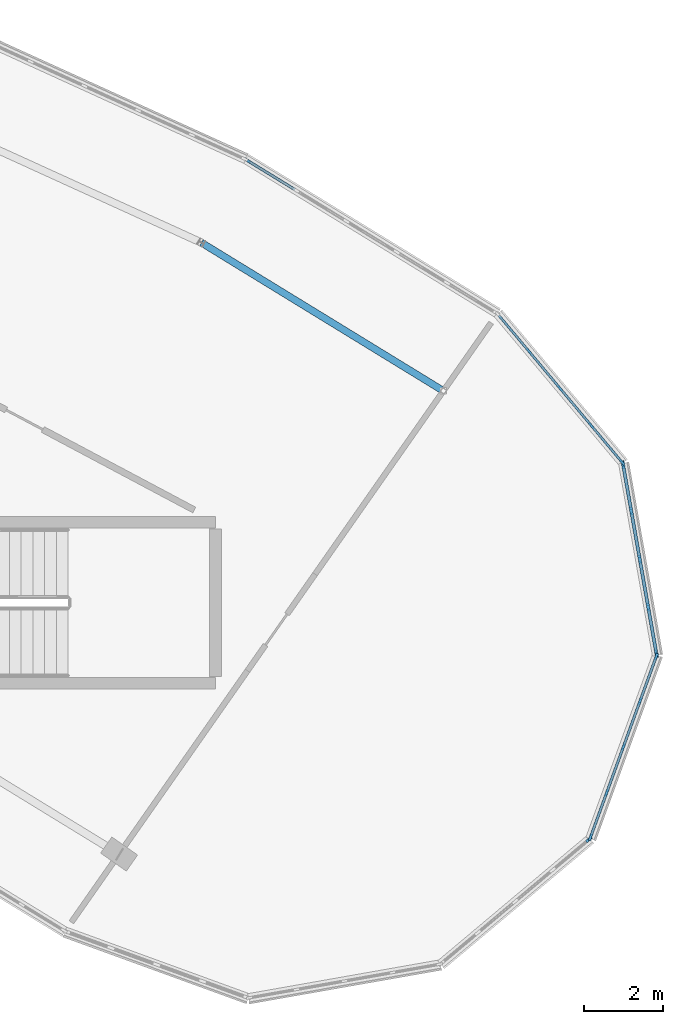
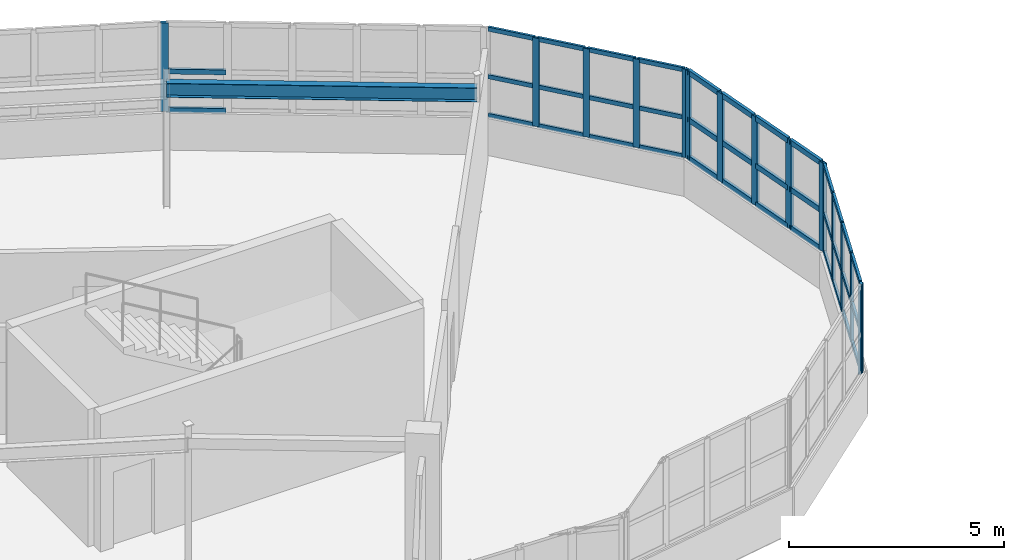
# One storey, part 34 of 65: 54 members, 1 beam, 5 elements without a shape of their own.
"""IFC4 building model written with IfcOpenShell, lengths in metres."""

from ifc_helpers import new_model, si_unit, direction, frame, origin, origin_2d, place, context, subcontext, project, spatial, rectangle, i_section, extrude, material, layer, layer_set, material_profile, profile_set, type_object, element, aggregate, save


model = new_model("IFC4")

# Units and contexts
model_context = context("Model", 3, precision=1e-05, world=origin(), true_north=direction((0.0, 1.0)))
body_context = subcontext(model_context, "Body", "Model", "MODEL_VIEW")
ifc_project = project(units=[si_unit("LENGTHUNIT", "METRE"), si_unit("AREAUNIT", "SQUARE_METRE"), si_unit("VOLUMEUNIT", "CUBIC_METRE"), si_unit("PLANEANGLEUNIT", "RADIAN"), si_unit("MASSUNIT", "GRAM", prefix="KILO")], contexts=[model_context])

# Site, building, storey
site_placement = place(None, origin())
site = spatial("IfcSite", under=ifc_project, at=site_placement, CompositionType="ELEMENT")
building_placement = place(site_placement, origin())
building = spatial("IfcBuilding", under=site, at=building_placement, Name="Tarnwether General Hospital", CompositionType="ELEMENT")
storey_placement = place(building_placement, frame((0.0, 0.0, 22.199951171875)))
storey = spatial("IfcBuildingStorey", under=building, at=storey_placement, Name="L05", CompositionType="ELEMENT", Elevation=22.199951171875)

# Beam
ifc_material_1 = material(Name="Steel Grade 350 (350 MPa)", Category="steel")
ifc_material_profile_1 = material_profile(ifc_material_1, i_section(OverallWidth=0.177978515625, OverallDepth=0.403076171875, WebThickness=0.007568359375, FlangeThickness=0.010986328125, at=origin_2d()), Name="410UB53.7")
ifc_profile_set_1 = profile_set([ifc_material_profile_1], Name="Steel Grade 350 (350 MPa)")
beam_type = type_object("IfcBeamType", Name="BM-SP2", PredefinedType="SPANDREL", material=ifc_profile_set_1)
beam_placement = place(storey_placement, frame((119.79296875, 115.27001953125, 3.358642578125), z_axis=(0.852678430503, -0.522436114902, 0.0), x_axis=(0.522436114902, 0.852678430503, 0.0)))
element("IfcBeam", 1, at=beam_placement, inside=storey, type_object=beam_type, Name="Curved Ward NW Outer Spandrel BMG-L05-11979_11527-12596_11149-2011", PredefinedType="SPANDREL", context=body_context, shape_type="SweptSolid", body=[
    extrude(i_section(OverallWidth=0.177978515625, OverallDepth=0.403076171875, WebThickness=0.007568359375, FlangeThickness=0.010986328125, at=origin_2d()), origin(), (0.0, 0.0, 1.0), 7.22802734375),
])

# Curtain wall, members
ifc_material_2 = material(Name="Anodised aluminium", Category="aluminium")
ifc_layer_1 = layer(ifc_material_2, 0.159912109375)
ifc_layer_set_1 = layer_set([ifc_layer_1], Name="Anodised aluminium")
curtain_wall_type_1 = type_object("IfcCurtainWallType", Name="CW-03", PredefinedType="NOTDEFINED", material=ifc_layer_set_1)
curtain_wall_1_placement = place(storey_placement, origin())
curtain_wall_1 = element("IfcCurtainWall", 2, at=curtain_wall_1_placement, inside=storey, type_object=curtain_wall_type_1, Name="Curtain Wall CWG-L05-1273_1135-0085", PredefinedType="NOTDEFINED")
ifc_material_3 = material(Name="Anodised aluminium", Category="aluminium")
ifc_material_profile_2 = material_profile(ifc_material_3, rectangle(XDim=0.06005859375, YDim=0.159912109375, at=origin_2d()), Name="ALU-MUL-60x160")
ifc_profile_set_2 = profile_set([ifc_material_profile_2], Name="Anodised aluminium")
member_type_1 = type_object("IfcMemberType", Name="CW-ML1", PredefinedType="MULLION", material=ifc_profile_set_2)
member_1_placement = place(storey_placement, frame((128.130859375, 112.50830078125, 1.050048828125), z_axis=(0.0, 0.0, 1.0), x_axis=(0.765990176896, 0.64285227611, 0.0)))
member_1 = element("IfcMember", 3, at=member_1_placement, type_object=member_type_1, Name="CW-03 mullion 2", PredefinedType="MULLION", context=body_context, shape_type="SweptSolid", body=[
    extrude(rectangle(XDim=0.06005859375, YDim=0.159912109375, at=origin_2d()), origin(), (0.0, 0.0, 1.0), 2.510009765625),
])
member_2_placement = place(storey_placement, frame((128.929443359375, 111.556396484375, 1.050048828125), z_axis=(0.0, 0.0, 1.0), x_axis=(0.765990176896, 0.64285227611, 0.0)))
member_2 = element("IfcMember", 4, at=member_2_placement, type_object=member_type_1, Name="CW-03 mullion 3", PredefinedType="MULLION", context=body_context, shape_type="SweptSolid", body=[
    extrude(rectangle(XDim=0.06005859375, YDim=0.159912109375, at=origin_2d()), origin(), (0.0, 0.0, 1.0), 2.510009765625),
])
member_3_placement = place(storey_placement, frame((129.728271484375, 110.604736328125, 1.050048828125), z_axis=(0.0, 0.0, 1.0), x_axis=(0.765990176896, 0.64285227611, 0.0)))
member_3 = element("IfcMember", 5, at=member_3_placement, type_object=member_type_1, Name="CW-03 mullion 4", PredefinedType="MULLION", context=body_context, shape_type="SweptSolid", body=[
    extrude(rectangle(XDim=0.06005859375, YDim=0.159912109375, at=origin_2d()), origin(), (0.0, 0.0, 1.0), 2.510009765625),
])
member_4_placement = place(storey_placement, frame((130.5078125, 109.676025390625, 1.050048828125), z_axis=(0.0, 0.0, 1.0), x_axis=(0.765990176896, 0.64285227611, 0.0)))
member_4 = element("IfcMember", 6, at=member_4_placement, type_object=member_type_1, Name="CW-03 mullion 5", PredefinedType="MULLION", context=body_context, shape_type="SweptSolid", body=[
    extrude(rectangle(XDim=0.06005859375, YDim=0.159912109375, at=origin_2d()), origin(), (0.0, 0.0, 1.0), 2.510009765625),
])

# Curtain wall, member
curtain_wall_2_placement = place(storey_placement, origin())
curtain_wall_2 = element("IfcCurtainWall", 7, at=curtain_wall_2_placement, inside=storey, type_object=curtain_wall_type_1, Name="Curtain Wall CWG-L05-1297_1001-0082", PredefinedType="NOTDEFINED")
ifc_material_4 = material(Name="Anodised aluminium", Category="aluminium")
ifc_material_profile_3 = material_profile(ifc_material_4, rectangle(XDim=0.070068359375, YDim=0.179931640625, at=origin_2d()), Name="ALU-MUL-70x180")
ifc_profile_set_3 = profile_set([ifc_material_profile_3], Name="Anodised aluminium")
member_type_2 = type_object("IfcMemberType", Name="CW-ML2", PredefinedType="MULLION", material=ifc_profile_set_3)
member_5_placement = place(storey_placement, frame((129.6630859375, 100.0673828125, 1.050048828125), z_axis=(0.0, 0.0, 1.0), x_axis=(0.64285227611, -0.765990176896, 0.0)))
member_5 = element("IfcMember", 8, at=member_5_placement, type_object=member_type_2, Name="CW-03 mullion 1", PredefinedType="MULLION", context=body_context, shape_type="SweptSolid", body=[
    extrude(rectangle(XDim=0.070068359375, YDim=0.179931640625, at=origin_2d()), origin(), (0.0, 0.0, 1.0), 2.510009765625),
])
aggregate(curtain_wall_2, [member_5])

ifc_material_5 = material(Name="Anodised aluminium", Category="aluminium")
ifc_layer_2 = layer(ifc_material_5, 0.159912109375)
ifc_layer_set_2 = layer_set([ifc_layer_2], Name="Anodised aluminium")
curtain_wall_type_2 = type_object("IfcCurtainWallType", Name="CW-05", PredefinedType="NOTDEFINED", material=ifc_layer_set_2)
curtain_wall_3_placement = place(storey_placement, origin())
curtain_wall_3 = element("IfcCurtainWall", 9, at=curtain_wall_3_placement, inside=storey, type_object=curtain_wall_type_2, Name="Curtain Wall CWG-L05-1209_1174-0086", PredefinedType="NOTDEFINED")
member_6_placement = place(storey_placement, frame((120.94873046875, 117.371826171875, 1.050048828125), z_axis=(0.0, 0.0, 1.0), x_axis=(0.522509056361, 0.852633734977, 0.0)))
member_6 = element("IfcMember", 10, at=member_6_placement, type_object=member_type_2, Name="CW-05 mullion 1", PredefinedType="MULLION", context=body_context, shape_type="SweptSolid", body=[
    extrude(rectangle(XDim=0.070068359375, YDim=0.179931640625, at=origin_2d()), origin(), (0.0, 0.0, 1.0), 2.510009765625),
])

# Curtain wall, members
curtain_wall_4_placement = place(storey_placement, origin())
curtain_wall_4 = element("IfcCurtainWall", 11, at=curtain_wall_4_placement, inside=storey, type_object=curtain_wall_type_1, Name="Curtain Wall CWG-L05-1314_1048-0083", PredefinedType="NOTDEFINED")
ifc_material_6 = material(Name="Anodised aluminium", Category="aluminium")
ifc_material_profile_4 = material_profile(ifc_material_6, rectangle(XDim=0.06494140625, YDim=0.169921875, at=origin_2d()), Name="ALU-MUL-65x170")
ifc_profile_set_4 = profile_set([ifc_material_profile_4], Name="Anodised aluminium")
member_type_3 = type_object("IfcMemberType", Name="CW-ML3", PredefinedType="MULLION", material=ifc_profile_set_4)
member_7_placement = place(storey_placement, frame((131.3779296875, 104.728515625, 1.050048828125), z_axis=(0.0, 0.0, 1.0), x_axis=(0.939717006582, -0.341953136469, 0.0)))
member_7 = element("IfcMember", 12, at=member_7_placement, type_object=member_type_3, Name="CW-03 mullion 1", PredefinedType="MULLION", context=body_context, shape_type="SweptSolid", body=[
    extrude(rectangle(XDim=0.06494140625, YDim=0.169921875, at=origin_2d()), origin(), (0.0, 0.0, 1.0), 2.510009765625),
])
member_8_placement = place(storey_placement, frame((130.96435546875, 103.591796875, 1.050048828125), z_axis=(0.0, 0.0, 1.0), x_axis=(0.939717006582, -0.341953136469, 0.0)))
member_8 = element("IfcMember", 13, at=member_8_placement, type_object=member_type_3, Name="CW-03 mullion 2", PredefinedType="MULLION", context=body_context, shape_type="SweptSolid", body=[
    extrude(rectangle(XDim=0.06494140625, YDim=0.169921875, at=origin_2d()), origin(), (0.0, 0.0, 1.0), 2.510009765625),
])
member_9_placement = place(storey_placement, frame((130.53955078125, 102.424560546875, 1.050048828125), z_axis=(0.0, 0.0, 1.0), x_axis=(0.939717006582, -0.341953136469, 0.0)))
member_9 = element("IfcMember", 14, at=member_9_placement, type_object=member_type_3, Name="CW-03 mullion 3", PredefinedType="MULLION", context=body_context, shape_type="SweptSolid", body=[
    extrude(rectangle(XDim=0.06494140625, YDim=0.169921875, at=origin_2d()), origin(), (0.0, 0.0, 1.0), 2.510009765625),
])
member_10_placement = place(storey_placement, frame((130.11474609375, 101.25732421875, 1.050048828125), z_axis=(0.0, 0.0, 1.0), x_axis=(0.939717006582, -0.341953136469, 0.0)))
member_10 = element("IfcMember", 15, at=member_10_placement, type_object=member_type_3, Name="CW-03 mullion 4", PredefinedType="MULLION", context=body_context, shape_type="SweptSolid", body=[
    extrude(rectangle(XDim=0.06494140625, YDim=0.169921875, at=origin_2d()), origin(), (0.0, 0.0, 1.0), 2.510009765625),
])
member_11_placement = place(storey_placement, frame((129.701171875, 100.12060546875, 1.050048828125), z_axis=(0.0, 0.0, 1.0), x_axis=(0.939717006582, -0.341953136469, 0.0)))
member_11 = element("IfcMember", 16, at=member_11_placement, type_object=member_type_3, Name="CW-03 mullion 5", PredefinedType="MULLION", context=body_context, shape_type="SweptSolid", body=[
    extrude(rectangle(XDim=0.06494140625, YDim=0.169921875, at=origin_2d()), origin(), (0.0, 0.0, 1.0), 2.510009765625),
])

curtain_wall_5_placement = place(storey_placement, origin())
curtain_wall_5 = element("IfcCurtainWall", 17, at=curtain_wall_5_placement, inside=storey, type_object=curtain_wall_type_1, Name="Curtain Wall CWG-L05-1305_1097-0084", PredefinedType="NOTDEFINED")
ifc_material_7 = material(Name="Anodised aluminium", Category="aluminium")
ifc_material_profile_5 = material_profile(ifc_material_7, rectangle(XDim=0.080078125, YDim=0.199951171875, at=origin_2d()), Name="ALU-MUL-80x200")
ifc_profile_set_5 = profile_set([ifc_material_profile_5], Name="Anodised aluminium")
member_type_4 = type_object("IfcMemberType", Name="CW-ML4", PredefinedType="MULLION", material=ifc_profile_set_5)
member_12_placement = place(storey_placement, frame((130.533935546875, 109.613525390625, 1.050048828125), z_axis=(0.0, 0.0, 1.0), x_axis=(0.984840230098, 0.173463890135, 0.0)))
member_12 = element("IfcMember", 18, at=member_12_placement, type_object=member_type_4, Name="CW-03 mullion 1", PredefinedType="MULLION", context=body_context, shape_type="SweptSolid", body=[
    extrude(rectangle(XDim=0.080078125, YDim=0.199951171875, at=origin_2d()), origin(), (0.0, 0.0, 1.0), 2.510009765625),
])
member_13_placement = place(storey_placement, frame((130.742431640625, 108.429443359375, 1.050048828125), z_axis=(0.0, 0.0, 1.0), x_axis=(0.984840230098, 0.173463890135, 0.0)))
member_13 = element("IfcMember", 19, at=member_13_placement, type_object=member_type_4, Name="CW-03 mullion 2", PredefinedType="MULLION", context=body_context, shape_type="SweptSolid", body=[
    extrude(rectangle(XDim=0.080078125, YDim=0.199951171875, at=origin_2d()), origin(), (0.0, 0.0, 1.0), 2.510009765625),
])
member_14_placement = place(storey_placement, frame((130.9580078125, 107.2060546875, 1.050048828125), z_axis=(0.0, 0.0, 1.0), x_axis=(0.984840230098, 0.173463890135, 0.0)))
member_14 = element("IfcMember", 20, at=member_14_placement, type_object=member_type_4, Name="CW-03 mullion 3", PredefinedType="MULLION", context=body_context, shape_type="SweptSolid", body=[
    extrude(rectangle(XDim=0.080078125, YDim=0.199951171875, at=origin_2d()), origin(), (0.0, 0.0, 1.0), 2.510009765625),
])
member_15_placement = place(storey_placement, frame((131.173583984375, 105.982421875, 1.050048828125), z_axis=(0.0, 0.0, 1.0), x_axis=(0.984840230098, 0.173463890135, 0.0)))
member_15 = element("IfcMember", 21, at=member_15_placement, type_object=member_type_4, Name="CW-03 mullion 4", PredefinedType="MULLION", context=body_context, shape_type="SweptSolid", body=[
    extrude(rectangle(XDim=0.080078125, YDim=0.199951171875, at=origin_2d()), origin(), (0.0, 0.0, 1.0), 2.510009765625),
])
member_16_placement = place(storey_placement, frame((131.382080078125, 104.79833984375, 1.050048828125), z_axis=(0.0, 0.0, 1.0), x_axis=(0.984840230098, 0.173463890135, 0.0)))
member_16 = element("IfcMember", 22, at=member_16_placement, type_object=member_type_4, Name="CW-03 mullion 5", PredefinedType="MULLION", context=body_context, shape_type="SweptSolid", body=[
    extrude(rectangle(XDim=0.080078125, YDim=0.199951171875, at=origin_2d()), origin(), (0.0, 0.0, 1.0), 2.510009765625),
])

# Member
ifc_material_8 = material(Name="Anodised aluminium", Category="aluminium")
ifc_material_profile_6 = material_profile(ifc_material_8, rectangle(XDim=0.06005859375, YDim=0.1201171875, at=origin_2d()), Name="ALU-TRN-60x120")
ifc_profile_set_6 = profile_set([ifc_material_profile_6], Name="Anodised aluminium")
member_type_5 = type_object("IfcMemberType", Name="CW-TR1", PredefinedType="USERDEFINED", material=ifc_profile_set_6)
member_17_placement = place(storey_placement, frame((127.37060546875, 113.4140625, 1.080078125), z_axis=(0.642889003043, -0.765959352555, 0.0), x_axis=(0.765959352555, 0.642889003043, 0.0)))
member_17 = element("IfcMember", 23, at=member_17_placement, type_object=member_type_5, Name="CW-03 transom 1.1", ObjectType="TRANSOM", PredefinedType="USERDEFINED", context=body_context, shape_type="SweptSolid", body=[
    extrude(rectangle(XDim=0.06005859375, YDim=0.1201171875, at=origin_2d()), origin(), (0.0, 0.0, 1.0), 1.152587890625),
])

member_18_placement = place(storey_placement, frame((127.37060546875, 113.4140625, 2.179443359375), z_axis=(0.642889003043, -0.765959352555, 0.0), x_axis=(0.765959352555, 0.642889003043, 0.0)))
member_18 = element("IfcMember", 24, at=member_18_placement, type_object=member_type_5, Name="CW-03 transom 1.2", ObjectType="TRANSOM", PredefinedType="USERDEFINED", context=body_context, shape_type="SweptSolid", body=[
    extrude(rectangle(XDim=0.06005859375, YDim=0.1201171875, at=origin_2d()), origin(), (0.0, 0.0, 1.0), 1.152587890625),
])

member_19_placement = place(storey_placement, frame((127.37060546875, 113.4140625, 3.530029296875), z_axis=(0.642889003043, -0.765959352555, 0.0), x_axis=(0.765959352555, 0.642889003043, 0.0)))
member_19 = element("IfcMember", 25, at=member_19_placement, type_object=member_type_5, Name="CW-03 transom 1.3", ObjectType="TRANSOM", PredefinedType="USERDEFINED", context=body_context, shape_type="SweptSolid", body=[
    extrude(rectangle(XDim=0.06005859375, YDim=0.1201171875, at=origin_2d()), origin(), (0.0, 0.0, 1.0), 1.152587890625),
])

member_20_placement = place(storey_placement, frame((128.150146484375, 112.4853515625, 1.080078125), z_axis=(0.64278038415, -0.766050506006, 0.0), x_axis=(0.766050506006, 0.64278038415, 0.0)))
member_20 = element("IfcMember", 26, at=member_20_placement, type_object=member_type_5, Name="CW-03 transom 2.1", ObjectType="TRANSOM", PredefinedType="USERDEFINED", context=body_context, shape_type="SweptSolid", body=[
    extrude(rectangle(XDim=0.06005859375, YDim=0.1201171875, at=origin_2d()), origin(), (0.0, 0.0, 1.0), 1.182373046875),
])

member_21_placement = place(storey_placement, frame((128.150146484375, 112.4853515625, 2.179443359375), z_axis=(0.64278038415, -0.766050506006, 0.0), x_axis=(0.766050506006, 0.64278038415, 0.0)))
member_21 = element("IfcMember", 27, at=member_21_placement, type_object=member_type_5, Name="CW-03 transom 2.2", ObjectType="TRANSOM", PredefinedType="USERDEFINED", context=body_context, shape_type="SweptSolid", body=[
    extrude(rectangle(XDim=0.06005859375, YDim=0.1201171875, at=origin_2d()), origin(), (0.0, 0.0, 1.0), 1.182373046875),
])

member_22_placement = place(storey_placement, frame((128.150146484375, 112.4853515625, 3.530029296875), z_axis=(0.64278038415, -0.766050506006, 0.0), x_axis=(0.766050506006, 0.64278038415, 0.0)))
member_22 = element("IfcMember", 28, at=member_22_placement, type_object=member_type_5, Name="CW-03 transom 2.3", ObjectType="TRANSOM", PredefinedType="USERDEFINED", context=body_context, shape_type="SweptSolid", body=[
    extrude(rectangle(XDim=0.06005859375, YDim=0.1201171875, at=origin_2d()), origin(), (0.0, 0.0, 1.0), 1.182373046875),
])

member_23_placement = place(storey_placement, frame((128.94873046875, 111.533447265625, 1.080078125), z_axis=(0.642901530921, -0.765948837417, 0.0), x_axis=(0.765948837417, 0.642901530921, 0.0)))
member_23 = element("IfcMember", 29, at=member_23_placement, type_object=member_type_5, Name="CW-03 transom 3.1", ObjectType="TRANSOM", PredefinedType="USERDEFINED", context=body_context, shape_type="SweptSolid", body=[
    extrude(rectangle(XDim=0.06005859375, YDim=0.1201171875, at=origin_2d()), origin(), (0.0, 0.0, 1.0), 1.1826171875),
])

member_24_placement = place(storey_placement, frame((128.94873046875, 111.533447265625, 2.179443359375), z_axis=(0.642901530921, -0.765948837417, 0.0), x_axis=(0.765948837417, 0.642901530921, 0.0)))
member_24 = element("IfcMember", 30, at=member_24_placement, type_object=member_type_5, Name="CW-03 transom 3.2", ObjectType="TRANSOM", PredefinedType="USERDEFINED", context=body_context, shape_type="SweptSolid", body=[
    extrude(rectangle(XDim=0.06005859375, YDim=0.1201171875, at=origin_2d()), origin(), (0.0, 0.0, 1.0), 1.1826171875),
])

member_25_placement = place(storey_placement, frame((128.94873046875, 111.533447265625, 3.530029296875), z_axis=(0.642901530921, -0.765948837417, 0.0), x_axis=(0.765948837417, 0.642901530921, 0.0)))
member_25 = element("IfcMember", 31, at=member_25_placement, type_object=member_type_5, Name="CW-03 transom 3.3", ObjectType="TRANSOM", PredefinedType="USERDEFINED", context=body_context, shape_type="SweptSolid", body=[
    extrude(rectangle(XDim=0.06005859375, YDim=0.1201171875, at=origin_2d()), origin(), (0.0, 0.0, 1.0), 1.1826171875),
])

member_26_placement = place(storey_placement, frame((129.74755859375, 110.581787109375, 1.080078125), z_axis=(0.642889003043, -0.765959352555, 0.0), x_axis=(0.765959352555, 0.642889003043, 0.0)))
member_26 = element("IfcMember", 32, at=member_26_placement, type_object=member_type_5, Name="CW-03 transom 4.1", ObjectType="TRANSOM", PredefinedType="USERDEFINED", context=body_context, shape_type="SweptSolid", body=[
    extrude(rectangle(XDim=0.06005859375, YDim=0.1201171875, at=origin_2d()), origin(), (0.0, 0.0, 1.0), 1.152587890625),
])

member_27_placement = place(storey_placement, frame((129.74755859375, 110.581787109375, 2.179443359375), z_axis=(0.642889003043, -0.765959352555, 0.0), x_axis=(0.765959352555, 0.642889003043, 0.0)))
member_27 = element("IfcMember", 33, at=member_27_placement, type_object=member_type_5, Name="CW-03 transom 4.2", ObjectType="TRANSOM", PredefinedType="USERDEFINED", context=body_context, shape_type="SweptSolid", body=[
    extrude(rectangle(XDim=0.06005859375, YDim=0.1201171875, at=origin_2d()), origin(), (0.0, 0.0, 1.0), 1.152587890625),
])

member_28_placement = place(storey_placement, frame((129.74755859375, 110.581787109375, 3.530029296875), z_axis=(0.642889003043, -0.765959352555, 0.0), x_axis=(0.765959352555, 0.642889003043, 0.0)))
member_28 = element("IfcMember", 34, at=member_28_placement, type_object=member_type_5, Name="CW-03 transom 4.3", ObjectType="TRANSOM", PredefinedType="USERDEFINED", context=body_context, shape_type="SweptSolid", body=[
    extrude(rectangle(XDim=0.06005859375, YDim=0.1201171875, at=origin_2d()), origin(), (0.0, 0.0, 1.0), 1.152587890625),
])

aggregate(curtain_wall_1, [member_1, member_2, member_3, member_4, member_17, member_18, member_19, member_20, member_21, member_22, member_23, member_24, member_25, member_26, member_27, member_28])

ifc_material_9 = material(Name="Anodised aluminium", Category="aluminium")
ifc_material_profile_7 = material_profile(ifc_material_9, rectangle(XDim=0.070068359375, YDim=0.139892578125, at=origin_2d()), Name="ALU-TRN-70x140")
ifc_profile_set_7 = profile_set([ifc_material_profile_7], Name="Anodised aluminium")
member_type_6 = type_object("IfcMemberType", Name="CW-TR2", PredefinedType="USERDEFINED", material=ifc_profile_set_7)
member_29_placement = place(storey_placement, frame((120.978759765625, 117.353515625, 1.0849609375), z_axis=(0.852621311554, -0.522529328444, 0.0), x_axis=(0.522529328444, 0.852621311554, 0.0)))
member_29 = element("IfcMember", 35, at=member_29_placement, type_object=member_type_6, Name="CW-05 transom 1.1", ObjectType="TRANSOM", PredefinedType="USERDEFINED", context=body_context, shape_type="SweptSolid", body=[
    extrude(rectangle(XDim=0.070068359375, YDim=0.139892578125, at=origin_2d()), origin(), (0.0, 0.0, 1.0), 1.3994140625),
])

member_30_placement = place(storey_placement, frame((120.978759765625, 117.353515625, 2.179443359375), z_axis=(0.852621311554, -0.522529328444, 0.0), x_axis=(0.522529328444, 0.852621311554, 0.0)))
member_30 = element("IfcMember", 36, at=member_30_placement, type_object=member_type_6, Name="CW-05 transom 1.2", ObjectType="TRANSOM", PredefinedType="USERDEFINED", context=body_context, shape_type="SweptSolid", body=[
    extrude(rectangle(XDim=0.070068359375, YDim=0.139892578125, at=origin_2d()), origin(), (0.0, 0.0, 1.0), 1.3994140625),
])

aggregate(curtain_wall_3, [member_6, member_29, member_30])

ifc_material_10 = material(Name="Anodised aluminium", Category="aluminium")
ifc_material_profile_8 = material_profile(ifc_material_10, rectangle(XDim=0.06494140625, YDim=0.1298828125, at=origin_2d()), Name="ALU-TRN-65x130")
ifc_profile_set_8 = profile_set([ifc_material_profile_8], Name="Anodised aluminium")
member_type_7 = type_object("IfcMemberType", Name="CW-TR3", PredefinedType="USERDEFINED", material=ifc_profile_set_8)
member_31_placement = place(storey_placement, frame((131.36669921875, 104.697998046875, 1.08251953125), z_axis=(-0.341897184747, -0.939737364939, 0.0), x_axis=(0.939737364939, -0.341897184747, 0.0)))
member_31 = element("IfcMember", 37, at=member_31_placement, type_object=member_type_7, Name="CW-03 transom 1.1", ObjectType="TRANSOM", PredefinedType="USERDEFINED", context=body_context, shape_type="SweptSolid", body=[
    extrude(rectangle(XDim=0.06494140625, YDim=0.1298828125, at=origin_2d()), origin(), (0.0, 0.0, 1.0), 1.144775390625),
])

member_32_placement = place(storey_placement, frame((131.36669921875, 104.697998046875, 2.179443359375), z_axis=(-0.341897184747, -0.939737364939, 0.0), x_axis=(0.939737364939, -0.341897184747, 0.0)))
member_32 = element("IfcMember", 38, at=member_32_placement, type_object=member_type_7, Name="CW-03 transom 1.2", ObjectType="TRANSOM", PredefinedType="USERDEFINED", context=body_context, shape_type="SweptSolid", body=[
    extrude(rectangle(XDim=0.06494140625, YDim=0.1298828125, at=origin_2d()), origin(), (0.0, 0.0, 1.0), 1.144775390625),
])

member_33_placement = place(storey_placement, frame((131.36669921875, 104.697998046875, 3.527587890625), z_axis=(-0.341897184747, -0.939737364939, 0.0), x_axis=(0.939737364939, -0.341897184747, 0.0)))
member_33 = element("IfcMember", 39, at=member_33_placement, type_object=member_type_7, Name="CW-03 transom 1.3", ObjectType="TRANSOM", PredefinedType="USERDEFINED", context=body_context, shape_type="SweptSolid", body=[
    extrude(rectangle(XDim=0.06494140625, YDim=0.1298828125, at=origin_2d()), origin(), (0.0, 0.0, 1.0), 1.144775390625),
])

member_34_placement = place(storey_placement, frame((130.953125, 103.561279296875, 1.08251953125), z_axis=(-0.341992832203, -0.939702560772, 0.0), x_axis=(0.939702560772, -0.341992832203, 0.0)))
member_34 = element("IfcMember", 40, at=member_34_placement, type_object=member_type_7, Name="CW-03 transom 2.1", ObjectType="TRANSOM", PredefinedType="USERDEFINED", context=body_context, shape_type="SweptSolid", body=[
    extrude(rectangle(XDim=0.06494140625, YDim=0.1298828125, at=origin_2d()), origin(), (0.0, 0.0, 1.0), 1.17724609375),
])

member_35_placement = place(storey_placement, frame((130.953125, 103.561279296875, 2.179443359375), z_axis=(-0.341992832203, -0.939702560772, 0.0), x_axis=(0.939702560772, -0.341992832203, 0.0)))
member_35 = element("IfcMember", 41, at=member_35_placement, type_object=member_type_7, Name="CW-03 transom 2.2", ObjectType="TRANSOM", PredefinedType="USERDEFINED", context=body_context, shape_type="SweptSolid", body=[
    extrude(rectangle(XDim=0.06494140625, YDim=0.1298828125, at=origin_2d()), origin(), (0.0, 0.0, 1.0), 1.17724609375),
])

member_36_placement = place(storey_placement, frame((130.953125, 103.561279296875, 3.527587890625), z_axis=(-0.341992832203, -0.939702560772, 0.0), x_axis=(0.939702560772, -0.341992832203, 0.0)))
member_36 = element("IfcMember", 42, at=member_36_placement, type_object=member_type_7, Name="CW-03 transom 2.3", ObjectType="TRANSOM", PredefinedType="USERDEFINED", context=body_context, shape_type="SweptSolid", body=[
    extrude(rectangle(XDim=0.06494140625, YDim=0.1298828125, at=origin_2d()), origin(), (0.0, 0.0, 1.0), 1.17724609375),
])

member_37_placement = place(storey_placement, frame((130.5283203125, 102.39404296875, 1.08251953125), z_axis=(-0.341809675268, -0.939769198204, 0.0), x_axis=(0.939769198204, -0.341809675268, 0.0)))
member_37 = element("IfcMember", 43, at=member_37_placement, type_object=member_type_7, Name="CW-03 transom 3.1", ObjectType="TRANSOM", PredefinedType="USERDEFINED", context=body_context, shape_type="SweptSolid", body=[
    extrude(rectangle(XDim=0.06494140625, YDim=0.1298828125, at=origin_2d()), origin(), (0.0, 0.0, 1.0), 1.177001953125),
])

member_38_placement = place(storey_placement, frame((130.5283203125, 102.39404296875, 2.179443359375), z_axis=(-0.341809675268, -0.939769198204, 0.0), x_axis=(0.939769198204, -0.341809675268, 0.0)))
member_38 = element("IfcMember", 44, at=member_38_placement, type_object=member_type_7, Name="CW-03 transom 3.2", ObjectType="TRANSOM", PredefinedType="USERDEFINED", context=body_context, shape_type="SweptSolid", body=[
    extrude(rectangle(XDim=0.06494140625, YDim=0.1298828125, at=origin_2d()), origin(), (0.0, 0.0, 1.0), 1.177001953125),
])

member_39_placement = place(storey_placement, frame((130.5283203125, 102.39404296875, 3.527587890625), z_axis=(-0.341809675268, -0.939769198204, 0.0), x_axis=(0.939769198204, -0.341809675268, 0.0)))
member_39 = element("IfcMember", 45, at=member_39_placement, type_object=member_type_7, Name="CW-03 transom 3.3", ObjectType="TRANSOM", PredefinedType="USERDEFINED", context=body_context, shape_type="SweptSolid", body=[
    extrude(rectangle(XDim=0.06494140625, YDim=0.1298828125, at=origin_2d()), origin(), (0.0, 0.0, 1.0), 1.177001953125),
])

member_40_placement = place(storey_placement, frame((130.103515625, 101.226806640625, 1.08251953125), z_axis=(-0.341897184747, -0.939737364939, 0.0), x_axis=(0.939737364939, -0.341897184747, 0.0)))
member_40 = element("IfcMember", 46, at=member_40_placement, type_object=member_type_7, Name="CW-03 transom 4.1", ObjectType="TRANSOM", PredefinedType="USERDEFINED", context=body_context, shape_type="SweptSolid", body=[
    extrude(rectangle(XDim=0.06494140625, YDim=0.1298828125, at=origin_2d()), origin(), (0.0, 0.0, 1.0), 1.144775390625),
])

member_41_placement = place(storey_placement, frame((130.103515625, 101.226806640625, 2.179443359375), z_axis=(-0.341897184747, -0.939737364939, 0.0), x_axis=(0.939737364939, -0.341897184747, 0.0)))
member_41 = element("IfcMember", 47, at=member_41_placement, type_object=member_type_7, Name="CW-03 transom 4.2", ObjectType="TRANSOM", PredefinedType="USERDEFINED", context=body_context, shape_type="SweptSolid", body=[
    extrude(rectangle(XDim=0.06494140625, YDim=0.1298828125, at=origin_2d()), origin(), (0.0, 0.0, 1.0), 1.144775390625),
])

member_42_placement = place(storey_placement, frame((130.103515625, 101.226806640625, 3.527587890625), z_axis=(-0.341897184747, -0.939737364939, 0.0), x_axis=(0.939737364939, -0.341897184747, 0.0)))
member_42 = element("IfcMember", 48, at=member_42_placement, type_object=member_type_7, Name="CW-03 transom 4.3", ObjectType="TRANSOM", PredefinedType="USERDEFINED", context=body_context, shape_type="SweptSolid", body=[
    extrude(rectangle(XDim=0.06494140625, YDim=0.1298828125, at=origin_2d()), origin(), (0.0, 0.0, 1.0), 1.144775390625),
])

aggregate(curtain_wall_4, [member_7, member_8, member_9, member_10, member_11, member_31, member_32, member_33, member_34, member_35, member_36, member_37, member_38, member_39, member_40, member_41, member_42])

ifc_material_11 = material(Name="Anodised aluminium", Category="aluminium")
ifc_material_profile_9 = material_profile(ifc_material_11, rectangle(XDim=0.080078125, YDim=0.14990234375, at=origin_2d()), Name="ALU-TRN-80x150")
ifc_profile_set_9 = profile_set([ifc_material_profile_9], Name="Anodised aluminium")
member_type_8 = type_object("IfcMemberType", Name="CW-TR4", PredefinedType="USERDEFINED", material=ifc_profile_set_9)
member_43_placement = place(storey_placement, frame((130.540771484375, 109.57421875, 1.090087890625), z_axis=(0.173599178383, -0.984816391651, 0.0), x_axis=(0.984816391651, 0.173599178383, 0.0)))
member_43 = element("IfcMember", 49, at=member_43_placement, type_object=member_type_8, Name="CW-03 transom 1.1", ObjectType="TRANSOM", PredefinedType="USERDEFINED", context=body_context, shape_type="SweptSolid", body=[
    extrude(rectangle(XDim=0.080078125, YDim=0.14990234375, at=origin_2d()), origin(), (0.0, 0.0, 1.0), 1.122314453125),
])

member_44_placement = place(storey_placement, frame((130.540771484375, 109.57421875, 2.179443359375), z_axis=(0.173599178383, -0.984816391651, 0.0), x_axis=(0.984816391651, 0.173599178383, 0.0)))
member_44 = element("IfcMember", 50, at=member_44_placement, type_object=member_type_8, Name="CW-03 transom 1.2", ObjectType="TRANSOM", PredefinedType="USERDEFINED", context=body_context, shape_type="SweptSolid", body=[
    extrude(rectangle(XDim=0.080078125, YDim=0.14990234375, at=origin_2d()), origin(), (0.0, 0.0, 1.0), 1.122314453125),
])

member_45_placement = place(storey_placement, frame((130.540771484375, 109.57421875, 3.52001953125), z_axis=(0.173599178383, -0.984816391651, 0.0), x_axis=(0.984816391651, 0.173599178383, 0.0)))
member_45 = element("IfcMember", 51, at=member_45_placement, type_object=member_type_8, Name="CW-03 transom 1.3", ObjectType="TRANSOM", PredefinedType="USERDEFINED", context=body_context, shape_type="SweptSolid", body=[
    extrude(rectangle(XDim=0.080078125, YDim=0.14990234375, at=origin_2d()), origin(), (0.0, 0.0, 1.0), 1.122314453125),
])

member_46_placement = place(storey_placement, frame((130.74951171875, 108.39013671875, 1.090087890625), z_axis=(0.173485784706, -0.984836373468, 0.0), x_axis=(0.984836373468, 0.173485784706, 0.0)))
member_46 = element("IfcMember", 52, at=member_46_placement, type_object=member_type_8, Name="CW-03 transom 2.1", ObjectType="TRANSOM", PredefinedType="USERDEFINED", context=body_context, shape_type="SweptSolid", body=[
    extrude(rectangle(XDim=0.080078125, YDim=0.14990234375, at=origin_2d()), origin(), (0.0, 0.0, 1.0), 1.162353515625),
])

member_47_placement = place(storey_placement, frame((130.74951171875, 108.39013671875, 2.179443359375), z_axis=(0.173485784706, -0.984836373468, 0.0), x_axis=(0.984836373468, 0.173485784706, 0.0)))
member_47 = element("IfcMember", 53, at=member_47_placement, type_object=member_type_8, Name="CW-03 transom 2.2", ObjectType="TRANSOM", PredefinedType="USERDEFINED", context=body_context, shape_type="SweptSolid", body=[
    extrude(rectangle(XDim=0.080078125, YDim=0.14990234375, at=origin_2d()), origin(), (0.0, 0.0, 1.0), 1.162353515625),
])

member_48_placement = place(storey_placement, frame((130.74951171875, 108.39013671875, 3.52001953125), z_axis=(0.173485784706, -0.984836373468, 0.0), x_axis=(0.984836373468, 0.173485784706, 0.0)))
member_48 = element("IfcMember", 54, at=member_48_placement, type_object=member_type_8, Name="CW-03 transom 2.3", ObjectType="TRANSOM", PredefinedType="USERDEFINED", context=body_context, shape_type="SweptSolid", body=[
    extrude(rectangle(XDim=0.080078125, YDim=0.14990234375, at=origin_2d()), origin(), (0.0, 0.0, 1.0), 1.162353515625),
])

member_49_placement = place(storey_placement, frame((130.96484375, 107.16650390625, 1.090087890625), z_axis=(0.173521676921, -0.98483005013, 0.0), x_axis=(0.98483005013, 0.173521676921, 0.0)))
member_49 = element("IfcMember", 55, at=member_49_placement, type_object=member_type_8, Name="CW-03 transom 3.1", ObjectType="TRANSOM", PredefinedType="USERDEFINED", context=body_context, shape_type="SweptSolid", body=[
    extrude(rectangle(XDim=0.080078125, YDim=0.14990234375, at=origin_2d()), origin(), (0.0, 0.0, 1.0), 1.162109375),
])

member_50_placement = place(storey_placement, frame((130.96484375, 107.16650390625, 2.179443359375), z_axis=(0.173521676921, -0.98483005013, 0.0), x_axis=(0.98483005013, 0.173521676921, 0.0)))
member_50 = element("IfcMember", 56, at=member_50_placement, type_object=member_type_8, Name="CW-03 transom 3.2", ObjectType="TRANSOM", PredefinedType="USERDEFINED", context=body_context, shape_type="SweptSolid", body=[
    extrude(rectangle(XDim=0.080078125, YDim=0.14990234375, at=origin_2d()), origin(), (0.0, 0.0, 1.0), 1.162109375),
])

member_51_placement = place(storey_placement, frame((130.96484375, 107.16650390625, 3.52001953125), z_axis=(0.173521676921, -0.98483005013, 0.0), x_axis=(0.98483005013, 0.173521676921, 0.0)))
member_51 = element("IfcMember", 57, at=member_51_placement, type_object=member_type_8, Name="CW-03 transom 3.3", ObjectType="TRANSOM", PredefinedType="USERDEFINED", context=body_context, shape_type="SweptSolid", body=[
    extrude(rectangle(XDim=0.080078125, YDim=0.14990234375, at=origin_2d()), origin(), (0.0, 0.0, 1.0), 1.162109375),
])

member_52_placement = place(storey_placement, frame((131.180419921875, 105.943115234375, 1.090087890625), z_axis=(0.173599178383, -0.984816391651, 0.0), x_axis=(0.984816391651, 0.173599178383, 0.0)))
member_52 = element("IfcMember", 58, at=member_52_placement, type_object=member_type_8, Name="CW-03 transom 4.1", ObjectType="TRANSOM", PredefinedType="USERDEFINED", context=body_context, shape_type="SweptSolid", body=[
    extrude(rectangle(XDim=0.080078125, YDim=0.14990234375, at=origin_2d()), origin(), (0.0, 0.0, 1.0), 1.122314453125),
])

member_53_placement = place(storey_placement, frame((131.180419921875, 105.943115234375, 2.179443359375), z_axis=(0.173599178383, -0.984816391651, 0.0), x_axis=(0.984816391651, 0.173599178383, 0.0)))
member_53 = element("IfcMember", 59, at=member_53_placement, type_object=member_type_8, Name="CW-03 transom 4.2", ObjectType="TRANSOM", PredefinedType="USERDEFINED", context=body_context, shape_type="SweptSolid", body=[
    extrude(rectangle(XDim=0.080078125, YDim=0.14990234375, at=origin_2d()), origin(), (0.0, 0.0, 1.0), 1.122314453125),
])

member_54_placement = place(storey_placement, frame((131.180419921875, 105.943115234375, 3.52001953125), z_axis=(0.173599178383, -0.984816391651, 0.0), x_axis=(0.984816391651, 0.173599178383, 0.0)))
member_54 = element("IfcMember", 60, at=member_54_placement, type_object=member_type_8, Name="CW-03 transom 4.3", ObjectType="TRANSOM", PredefinedType="USERDEFINED", context=body_context, shape_type="SweptSolid", body=[
    extrude(rectangle(XDim=0.080078125, YDim=0.14990234375, at=origin_2d()), origin(), (0.0, 0.0, 1.0), 1.122314453125),
])

aggregate(curtain_wall_5, [member_12, member_13, member_14, member_15, member_16, member_43, member_44, member_45, member_46, member_47, member_48, member_49, member_50, member_51, member_52, member_53, member_54])

save(model, "model.ifc")
